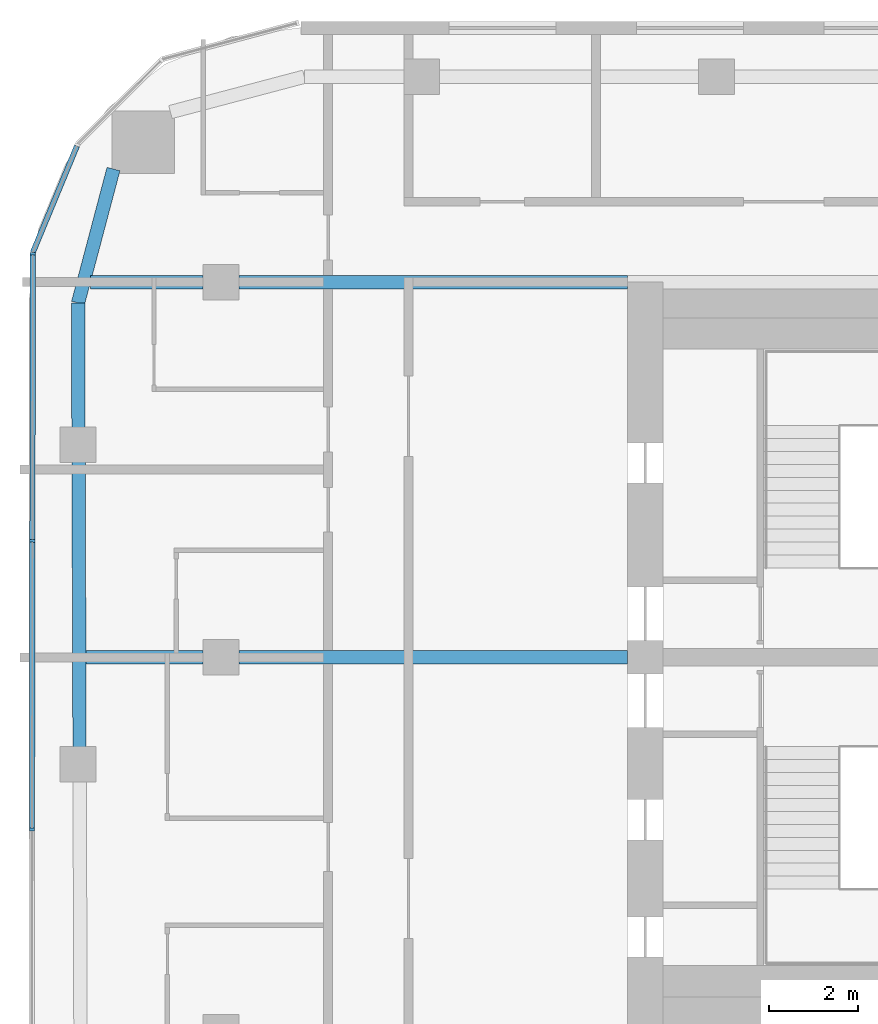
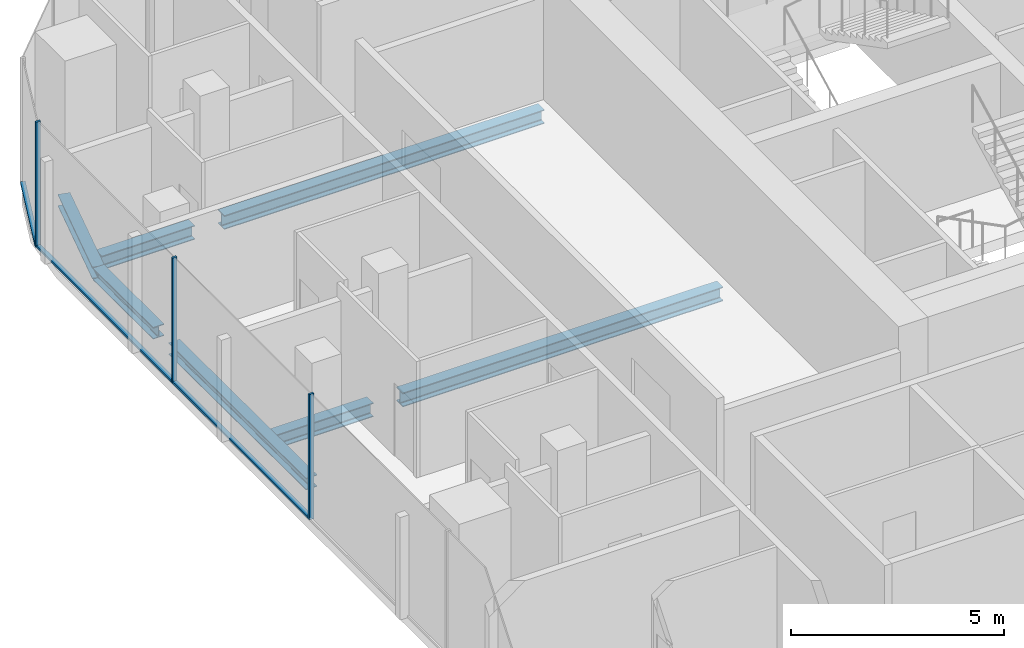
# One storey, part 8 of 22: 7 beams, 6 members, 2 elements without a shape of their own.
"""IFC4 building model written with IfcOpenShell, lengths in metres."""

from ifc_helpers import new_model, si_unit, direction, frame, origin, origin_2d, place, context, subcontext, project, spatial, rectangle, i_section, extrude, material, layer, layer_set, material_profile, profile_set, type_object, element, aggregate, save


model = new_model("IFC4")

# Units and contexts
model_context = context("Model", 3, precision=1e-05, world=origin(), true_north=direction((0.0, 1.0)))
body_context = subcontext(model_context, "Body", "Model", "MODEL_VIEW")
ifc_project = project(units=[si_unit("LENGTHUNIT", "METRE"), si_unit("AREAUNIT", "SQUARE_METRE"), si_unit("VOLUMEUNIT", "CUBIC_METRE"), si_unit("PLANEANGLEUNIT", "RADIAN"), si_unit("MASSUNIT", "GRAM", prefix="KILO")], contexts=[model_context])

# Site, building, storey
site_placement = place(None, origin())
site = spatial("IfcSite", under=ifc_project, at=site_placement, CompositionType="ELEMENT")
building_placement = place(site_placement, origin())
building = spatial("IfcBuilding", under=site, at=building_placement, Name="Marenta Gate Hotel Tower", CompositionType="ELEMENT")
storey_placement = place(building_placement, frame((0.0, 0.0, 223.699951171875)))
storey = spatial("IfcBuildingStorey", under=building, at=storey_placement, Name="L52", CompositionType="ELEMENT", Elevation=223.699951171875)

# Beams
ifc_material_1 = material(Name="Steel S355", Category="steel")
ifc_material_profile_1 = material_profile(ifc_material_1, i_section(OverallWidth=0.300048828125, OverallDepth=0.340087890625, WebThickness=0.011962890625, FlangeThickness=0.021484375, FilletRadius=0.027099609375, at=origin_2d()), Name="HEB 340")
ifc_profile_set_1 = profile_set([ifc_material_profile_1], Name="Steel S355")
beam_type_1 = type_object("IfcBeamType", Name="Edge beam HEB 340", PredefinedType="SPANDREL", material=ifc_profile_set_1)
beam_1_placement = place(storey_placement, frame((-24.166748046875, 6.36328125, -0.429931640625), z_axis=(-0.00333963982, 0.999994423387, 0.0), x_axis=(-0.999994423387, -0.00333963982, 0.0)))
element("IfcBeam", 1, at=beam_1_placement, inside=storey, type_object=beam_type_1, Name="L52-EB-9", PredefinedType="SPANDREL", context=body_context, shape_type="SweptSolid", body=[
    extrude(i_section(OverallWidth=0.300048828125, OverallDepth=0.340087890625, WebThickness=0.011962890625, FlangeThickness=0.021484375, FilletRadius=0.027099609375, at=origin_2d()), origin(), (0.0, 0.0, 1.0), 6.43310546875),
])
beam_2_placement = place(storey_placement, frame((-24.190673828125, 13.516357421875, -0.429931640625), z_axis=(-0.003292020626, 0.999994581285, 0.0), x_axis=(-0.999994581285, -0.003292020626, 0.0)))
element("IfcBeam", 2, at=beam_2_placement, inside=storey, type_object=beam_type_1, Name="L52-EB-10", PredefinedType="SPANDREL", context=body_context, shape_type="SweptSolid", body=[
    extrude(i_section(OverallWidth=0.300048828125, OverallDepth=0.340087890625, WebThickness=0.011962890625, FlangeThickness=0.021484375, FilletRadius=0.027099609375, at=origin_2d()), origin(), (0.0, 0.0, 1.0), 2.818115234375),
])
beam_3_placement = place(storey_placement, frame((-24.199951171875, 16.33447265625, -0.429931640625), z_axis=(0.255648013319, 0.966769927794, 0.0), x_axis=(-0.966769927794, 0.255648013319, 0.0)))
element("IfcBeam", 3, at=beam_3_placement, inside=storey, type_object=beam_type_1, Name="L52-EB-11", PredefinedType="SPANDREL", context=body_context, shape_type="SweptSolid", body=[
    extrude(i_section(OverallWidth=0.300048828125, OverallDepth=0.340087890625, WebThickness=0.011962890625, FlangeThickness=0.021484375, FilletRadius=0.027099609375, at=origin_2d()), origin(), (0.0, 0.0, 1.0), 3.100830078125),
])
ifc_material_2 = material(Name="Steel S355", Category="steel")
ifc_material_profile_2 = material_profile(ifc_material_2, i_section(OverallWidth=0.300048828125, OverallDepth=0.39990234375, WebThickness=0.013427734375, FlangeThickness=0.02392578125, FilletRadius=0.027099609375, at=origin_2d()), Name="HEB 400")
ifc_profile_set_2 = profile_set([ifc_material_profile_2], Name="Steel S355")
beam_type_2 = type_object("IfcBeamType", Name="Girder HEB 400", PredefinedType="BEAM", material=ifc_profile_set_2)
beam_4_placement = place(storey_placement, frame((-24.023681640625, 8.39990234375, -0.4599609375), z_axis=(1.0, 0.0, 0.0), x_axis=(0.0, 1.0, 0.0)))
element("IfcBeam", 4, at=beam_4_placement, inside=storey, type_object=beam_type_2, Name="L52-GD-25", PredefinedType="BEAM", context=body_context, shape_type="SweptSolid", body=[
    extrude(i_section(OverallWidth=0.300048828125, OverallDepth=0.39990234375, WebThickness=0.013427734375, FlangeThickness=0.02392578125, FilletRadius=0.027099609375, at=origin_2d()), origin(), (0.0, 0.0, 1.0), 2.623779296875),
])
beam_5_placement = place(storey_placement, frame((-20.60009765625, 8.39990234375, -0.4599609375), z_axis=(1.0, 0.0, 0.0), x_axis=(0.0, 1.0, 0.0)))
element("IfcBeam", 5, at=beam_5_placement, inside=storey, type_object=beam_type_2, Name="L52-GD-26", PredefinedType="BEAM", context=body_context, shape_type="SweptSolid", body=[
    extrude(i_section(OverallWidth=0.300048828125, OverallDepth=0.39990234375, WebThickness=0.013427734375, FlangeThickness=0.02392578125, FilletRadius=0.027099609375, at=origin_2d()), origin(), (0.0, 0.0, 1.0), 8.7001953125),
])
beam_6_placement = place(storey_placement, frame((-23.921630859375, 16.800048828125, -0.4599609375), z_axis=(1.0, 0.0, 0.0), x_axis=(0.0, 1.0, 0.0)))
element("IfcBeam", 6, at=beam_6_placement, inside=storey, type_object=beam_type_2, Name="L52-GD-29", PredefinedType="BEAM", context=body_context, shape_type="SweptSolid", body=[
    extrude(i_section(OverallWidth=0.300048828125, OverallDepth=0.39990234375, WebThickness=0.013427734375, FlangeThickness=0.02392578125, FilletRadius=0.027099609375, at=origin_2d()), origin(), (0.0, 0.0, 1.0), 2.521728515625),
])
beam_7_placement = place(storey_placement, frame((-20.60009765625, 16.800048828125, -0.4599609375), z_axis=(1.0, 0.0, 0.0), x_axis=(0.0, 1.0, 0.0)))
element("IfcBeam", 7, at=beam_7_placement, inside=storey, type_object=beam_type_2, Name="L52-GD-30", PredefinedType="BEAM", context=body_context, shape_type="SweptSolid", body=[
    extrude(i_section(OverallWidth=0.300048828125, OverallDepth=0.39990234375, WebThickness=0.013427734375, FlangeThickness=0.02392578125, FilletRadius=0.027099609375, at=origin_2d()), origin(), (0.0, 0.0, 1.0), 8.7001953125),
])

# Curtain wall, members
ifc_material_3 = material(Name="Tinted insulated glass in bronze anodised frame", Category="glass")
ifc_layer = layer(ifc_material_3, 0.1201171875)
ifc_layer_set = layer_set([ifc_layer], Name="Tinted insulated glass in bronze anodised frame")
curtain_wall_type = type_object("IfcCurtainWallType", Name="Tower unitised curtain wall CW1", PredefinedType="NOTDEFINED", material=ifc_layer_set)
curtain_wall_1_placement = place(storey_placement, origin())
curtain_wall_1 = element("IfcCurtainWall", 8, at=curtain_wall_1_placement, inside=storey, type_object=curtain_wall_type, Name="CW1 run G03", PredefinedType="NOTDEFINED")
ifc_material_4 = material(Name="Bronze anodised aluminium", Category="aluminium")
ifc_material_profile_3 = material_profile(ifc_material_4, rectangle(XDim=0.1201171875, YDim=0.06005859375, at=origin_2d()), Name="Mullion CW1 60x120 bronze anodised aluminium")
ifc_profile_set_3 = profile_set([ifc_material_profile_3], Name="Bronze anodised aluminium")
member_type_1 = type_object("IfcMemberType", Name="Mullion CW1 60x120 bronze anodised aluminium", PredefinedType="MULLION", material=ifc_profile_set_3)
member_1_placement = place(storey_placement, frame((-25.21240234375, 17.436279296875, 0.0), z_axis=(0.0, 0.0, 1.0), x_axis=(0.99999877375, -0.001566045546, 0.0)))
member_1 = element("IfcMember", 9, at=member_1_placement, type_object=member_type_1, Name="CW1 mullion 1", PredefinedType="MULLION", context=body_context, shape_type="SweptSolid", body=[
    extrude(rectangle(XDim=0.1201171875, YDim=0.06005859375, at=origin_2d()), origin(), (0.0, 0.0, 1.0), 3.60009765625),
])
member_2_placement = place(storey_placement, frame((-25.222412109375, 11.006103515625, 0.0), z_axis=(0.0, 0.0, 1.0), x_axis=(0.99999877375, -0.001566045546, 0.0)))
member_2 = element("IfcMember", 10, at=member_2_placement, type_object=member_type_1, Name="CW1 mullion 2", PredefinedType="MULLION", context=body_context, shape_type="SweptSolid", body=[
    extrude(rectangle(XDim=0.1201171875, YDim=0.06005859375, at=origin_2d()), origin(), (0.0, 0.0, 1.0), 3.60009765625),
])
member_3_placement = place(storey_placement, frame((-25.232421875, 4.546142578125, 0.0), z_axis=(0.0, 0.0, 1.0), x_axis=(0.99999877375, -0.001566045546, 0.0)))
member_3 = element("IfcMember", 11, at=member_3_placement, type_object=member_type_1, Name="CW1 mullion 3", PredefinedType="MULLION", context=body_context, shape_type="SweptSolid", body=[
    extrude(rectangle(XDim=0.1201171875, YDim=0.06005859375, at=origin_2d()), origin(), (0.0, 0.0, 1.0), 3.60009765625),
])

# Curtain wall, member
curtain_wall_2_placement = place(storey_placement, origin())
curtain_wall_2 = element("IfcCurtainWall", 12, at=curtain_wall_2_placement, inside=storey, type_object=curtain_wall_type, Name="CW1 run G02", PredefinedType="NOTDEFINED")
ifc_material_5 = material(Name="Bronze anodised aluminium", Category="aluminium")
ifc_material_profile_4 = material_profile(ifc_material_5, rectangle(XDim=0.1201171875, YDim=0.06005859375, at=origin_2d()), Name="Transom CW1 60x120 bronze anodised aluminium")
ifc_profile_set_4 = profile_set([ifc_material_profile_4], Name="Bronze anodised aluminium")
member_type_2 = type_object("IfcMemberType", Name="Transom CW1 60x120 bronze anodised aluminium", PredefinedType="USERDEFINED", material=ifc_profile_set_4)
member_4_placement = place(storey_placement, frame((-24.2265625, 19.845947265625, 0.030029296875), z_axis=(-0.382736860682, -0.923857399968, 0.0), x_axis=(0.923857399968, -0.382736860682, 0.0)))
member_4 = element("IfcMember", 13, at=member_4_placement, type_object=member_type_2, Name="CW1 transom 1.1", ObjectType="TRANSOM", PredefinedType="USERDEFINED", context=body_context, shape_type="SweptSolid", body=[
    extrude(rectangle(XDim=0.1201171875, YDim=0.06005859375, at=origin_2d()), origin(), (0.0, 0.0, 1.0), 2.57568359375),
])
aggregate(curtain_wall_2, [member_4])

# Member
member_5_placement = place(storey_placement, frame((-25.21240234375, 17.40625, 0.030029296875), z_axis=(-0.00157136093, -0.999998765412, 0.0), x_axis=(0.999998765412, -0.00157136093, 0.0)))
member_5 = element("IfcMember", 14, at=member_5_placement, type_object=member_type_2, Name="CW1 transom 1.1", ObjectType="TRANSOM", PredefinedType="USERDEFINED", context=body_context, shape_type="SweptSolid", body=[
    extrude(rectangle(XDim=0.1201171875, YDim=0.06005859375, at=origin_2d()), origin(), (0.0, 0.0, 1.0), 6.3701171875),
])

member_6_placement = place(storey_placement, frame((-25.222412109375, 10.976318359375, 0.030029296875), z_axis=(-0.001563988169, -0.99999877697, 0.0), x_axis=(0.99999877697, -0.001563988169, 0.0)))
member_6 = element("IfcMember", 15, at=member_6_placement, type_object=member_type_2, Name="CW1 transom 2.1", ObjectType="TRANSOM", PredefinedType="USERDEFINED", context=body_context, shape_type="SweptSolid", body=[
    extrude(rectangle(XDim=0.1201171875, YDim=0.06005859375, at=origin_2d()), origin(), (0.0, 0.0, 1.0), 6.400146484375),
])

aggregate(curtain_wall_1, [member_1, member_2, member_3, member_5, member_6])

save(model, "model.ifc")
